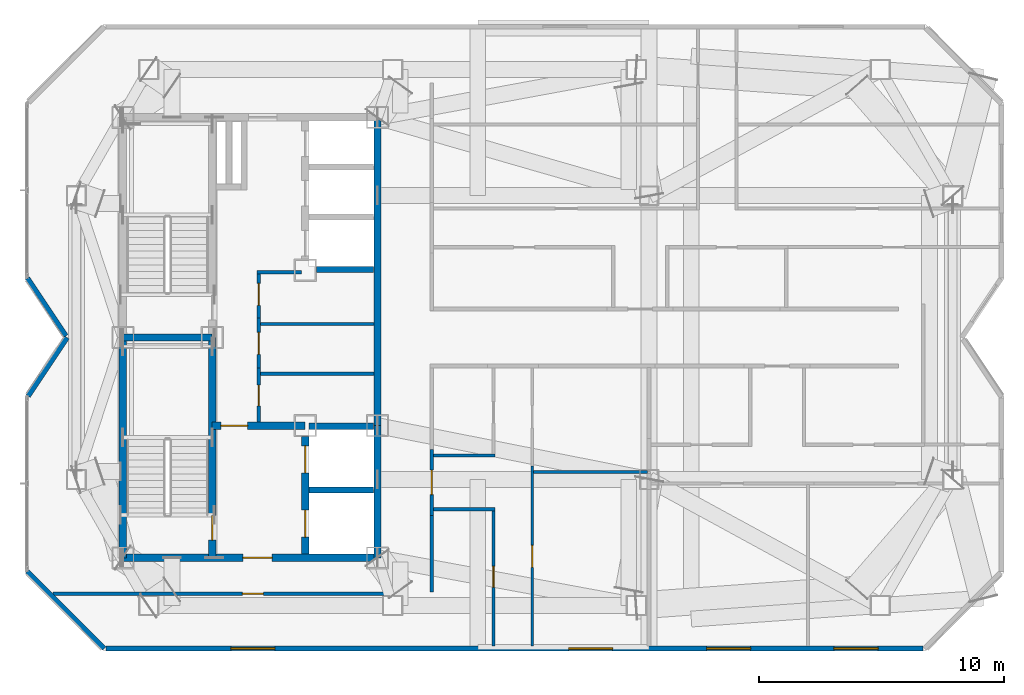
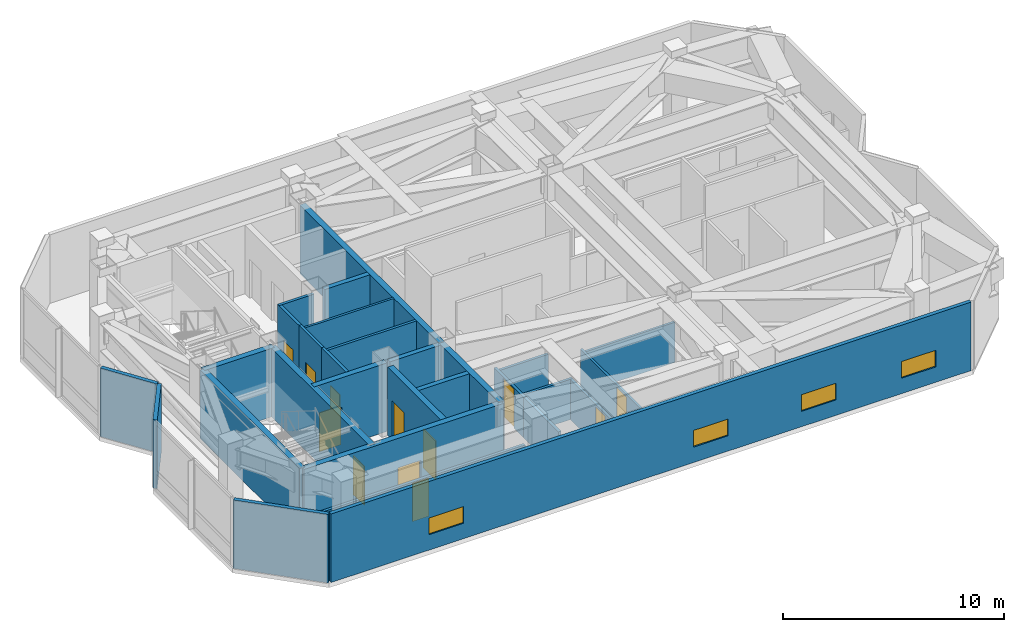
# One storey, part 10 of 15: 29 walls, 12 doors, 4 windows, 16 openings.
"""IFC4 building model written with IfcOpenShell, lengths in metres."""

import ifcopenshell
import ifcopenshell.guid

model = None  # the IFC model being written
_history = None  # IfcOwnerHistory: only IFC2X3 demands one
_inside = {}  # id of a spatial element -> (the spatial element, [elements in it])
_under = {}  # id of a project, library or spatial element -> (it, [spatial elements below it])
_declared = {}  # id of a project -> (the project, [libraries it declares])
_typed = {}  # id of a type object -> (the type object, [elements of that type])
_made_of = {}  # id of a material, layer set ... -> (it, [elements and type objects made of it])


def new_model(schema):
    """Start an empty IFC model of exactly this schema.

    Asked for "IFC4X3", IfcOpenShell would pick the latest addendum, in which some entities
    have other attributes; the version numbers below select the first issue.
    IFC2X3 requires an IfcOwnerHistory on every rooted entity: one is made here for all.
    """
    global model, _history
    if schema == "IFC4X3":
        model = ifcopenshell.file(schema_version=(4, 3, 0, 0))
    else:
        model = ifcopenshell.file(schema=schema)
    _inside.clear()
    _under.clear()
    _declared.clear()
    _typed.clear()
    _made_of.clear()
    _history = None
    if model.schema == "IFC2X3":
        org = make("IfcOrganization", Name="unknown")
        user = make(
            "IfcPersonAndOrganization",
            ThePerson=make("IfcPerson", FamilyName="unknown"),
            TheOrganization=org,
        )
        app = make(
            "IfcApplication",
            ApplicationDeveloper=org,
            Version="unknown",
            ApplicationFullName="unknown",
            ApplicationIdentifier="unknown",
        )
        _history = make(
            "IfcOwnerHistory",
            OwningUser=user,
            OwningApplication=app,
            ChangeAction="ADDED",
            CreationDate=0,
        )
    return model


def make(cls, **values):
    """One entity of the class cls with the attributes given. An attribute that is None is left unset."""
    return model.create_entity(
        cls, **{name: value for name, value in values.items() if value is not None}
    )


def rooted(cls, **values):
    """An entity with a GlobalId (a new one), such as an element, a storey or a relation."""
    return make(cls, GlobalId=ifcopenshell.guid.new(), OwnerHistory=_history, **values)


def si_unit(unit_type, name, prefix=None):
    """IfcSIUnit, for example si_unit("LENGTHUNIT", "METRE", prefix="MILLI")."""
    return make("IfcSIUnit", UnitType=unit_type, Prefix=prefix, Name=name)


def assignment(units):
    """IfcUnitAssignment: the units of a project."""
    return None if units is None else make("IfcUnitAssignment", Units=units)


def point(xyz):
    """IfcCartesianPoint."""
    return None if xyz is None else make("IfcCartesianPoint", Coordinates=xyz)


def direction(xyz):
    """IfcDirection."""
    return None if xyz is None else make("IfcDirection", DirectionRatios=xyz)


def frame(location, z_axis=None, x_axis=None):
    """IfcAxis2Placement3D, a coordinate frame: its origin and axes. An axis left out is left unset."""
    return make(
        "IfcAxis2Placement3D",
        Location=point(location),
        Axis=direction(z_axis),
        RefDirection=direction(x_axis),
    )


def frame_2d(location, x_axis=None):
    """IfcAxis2Placement2D, a coordinate frame in the plane: its origin and x axis."""
    return make(
        "IfcAxis2Placement2D", Location=point(location), RefDirection=direction(x_axis)
    )


def origin():
    """The frame at (0, 0, 0) with its axes left unset."""
    return frame((0.0, 0.0, 0.0))


def place(relative_to, where):
    """IfcLocalPlacement: puts the frame where relative to a parent placement (None: the world)."""
    return make(
        "IfcLocalPlacement", PlacementRelTo=relative_to, RelativePlacement=where
    )


def context(
    kind, dimensions, precision=None, world=None, true_north=None, identifier=None
):
    """IfcGeometricRepresentationContext, for example the 3D "Model" context."""
    return make(
        "IfcGeometricRepresentationContext",
        ContextIdentifier=identifier,
        ContextType=kind,
        CoordinateSpaceDimension=dimensions,
        Precision=precision,
        WorldCoordinateSystem=world,
        TrueNorth=true_north,
    )


def subcontext(parent, identifier, kind, view, scale=None):
    """IfcGeometricRepresentationSubContext, for example "Body" below "Model"."""
    return make(
        "IfcGeometricRepresentationSubContext",
        ContextIdentifier=identifier,
        ContextType=kind,
        ParentContext=parent,
        TargetScale=scale,
        TargetView=view,
    )


def project(units=None, contexts=None):
    """IfcProject with its units and contexts."""
    return rooted(
        "IfcProject",
        Name="project",
        RepresentationContexts=contexts,
        UnitsInContext=assignment(units),
    )


def spatial(cls, under=None, at=None, **own):
    """A site, building, storey or space (cls), placed at a placement, below another one or the project."""
    s = rooted(cls, ObjectPlacement=at, **own)
    if under is not None:
        _under.setdefault(under.id(), (under, []))[1].append(s)
    return s


def profile(cls, at=None, kind="AREA", **sizes):
    """A parametric profile (cls). Its sizes go by their IFC names, for example OverallWidth=200.0."""
    return make(cls, ProfileType=kind, Position=at, **sizes)


def rectangle(**sizes):
    """IfcRectangleProfileDef."""
    return profile("IfcRectangleProfileDef", **sizes)


def extrude(swept, where, along, depth):
    """IfcExtrudedAreaSolid: the profile swept, set in the frame where, extruded along a direction by depth."""
    return make(
        "IfcExtrudedAreaSolid",
        SweptArea=swept,
        Position=where,
        ExtrudedDirection=direction(along),
        Depth=depth,
    )


def shape(context_of_items, identifier, shape_type, items):
    """IfcShapeRepresentation: the items that make up one representation, for example the "Body"."""
    return make(
        "IfcShapeRepresentation",
        ContextOfItems=context_of_items,
        RepresentationIdentifier=identifier,
        RepresentationType=shape_type,
        Items=items,
    )


def material(Name=None, Category=None):
    """IfcMaterial."""
    return make("IfcMaterial", Name=Name, Category=Category)


def layer(
    of_material, thickness, ventilated=None, Name=None, Category=None, Priority=None
):
    """IfcMaterialLayer: one layer of a wall or slab, of a material (None: an air gap)."""
    return make(
        "IfcMaterialLayer",
        Material=of_material,
        LayerThickness=thickness,
        IsVentilated=ventilated,
        Name=Name,
        Category=Category,
        Priority=Priority,
    )


def layer_set(layers, Name=None):
    """IfcMaterialLayerSet."""
    return make("IfcMaterialLayerSet", MaterialLayers=layers, LayerSetName=Name)


def made_of(thing, what):
    """Note that an element or type object is made of a material, layer set ...; save() writes the relation."""
    if what is not None:
        _made_of.setdefault(what.id(), (what, []))[1].append(thing)
    return thing


def type_object(cls, material=None, **own):
    """A type object (cls), such as IfcWallType, which elements share."""
    return made_of(rooted(cls, **own), material)


def element(
    cls,
    number,
    at=None,
    inside=None,
    cuts=None,
    type_object=None,
    material=None,
    context=None,
    identifier="Body",
    shape_type=None,
    held_by="IfcProductDefinitionShape",
    body=None,
    shapes=None,
    **own,
):
    """One element of the class cls, such as IfcWall. Its Tag is "e" and its number.

    at: its placement. inside: the storey or other place that contains it. cuts: it is an
    opening in that element (IfcRelVoidsElement). A single representation is given by context,
    identifier, shape_type and body (its items); several are given by shapes. held_by: the class
    of the entity that holds the representations. save() writes the other relations.
    """
    e = rooted(cls, Tag="e%d" % number, ObjectPlacement=at, **own)
    if body is not None:
        shapes = [shape(context, identifier, shape_type, body)]
    if shapes is not None:
        e.Representation = make(held_by, Representations=shapes)
    if inside is not None:
        _inside.setdefault(inside.id(), (inside, []))[1].append(e)
    if cuts is not None:
        rooted(
            "IfcRelVoidsElement", RelatingBuildingElement=cuts, RelatedOpeningElement=e
        )
    if type_object is not None:
        _typed.setdefault(type_object.id(), (type_object, []))[1].append(e)
    return made_of(e, material)


def fill(opening, filler):
    """IfcRelFillsElement: the door or window that sits in an opening."""
    return rooted(
        "IfcRelFillsElement",
        RelatingOpeningElement=opening,
        RelatedBuildingElement=filler,
    )


def aggregate(whole, parts):
    """IfcRelAggregates: a whole, such as a stair, and the parts it consists of."""
    return rooted("IfcRelAggregates", RelatingObject=whole, RelatedObjects=parts)


def save(model, path):
    """Write the relations noted so far, then the file.

    IfcRelAggregates (storeys below a building ...), IfcRelContainedInSpatialStructure (elements
    in a storey), IfcRelDefinesByType, IfcRelAssociatesMaterial and IfcRelDeclares: one each for
    every whole, place, type object, material and project.
    """
    for whole, parts in _under.values():
        aggregate(whole, parts)
    for where, things in _inside.values():
        rooted(
            "IfcRelContainedInSpatialStructure",
            RelatedElements=things,
            RelatingStructure=where,
        )
    for kind, things in _typed.values():
        rooted("IfcRelDefinesByType", RelatedObjects=things, RelatingType=kind)
    for what, things in _made_of.values():
        rooted("IfcRelAssociatesMaterial", RelatedObjects=things, RelatingMaterial=what)
    for by, libraries in _declared.values():
        rooted("IfcRelDeclares", RelatingContext=by, RelatedDefinitions=libraries)
    model.write(path)


model = new_model("IFC4")

# Units and contexts
model_context = context("Model", 3, precision=1e-05, world=origin(), true_north=direction((0.0, 1.0)))
body_context = subcontext(model_context, "Body", "Model", "MODEL_VIEW")
ifc_project = project(units=[si_unit("LENGTHUNIT", "METRE"), si_unit("AREAUNIT", "SQUARE_METRE"), si_unit("VOLUMEUNIT", "CUBIC_METRE"), si_unit("PLANEANGLEUNIT", "RADIAN"), si_unit("MASSUNIT", "GRAM", prefix="KILO")], contexts=[model_context])

# Site, building, storey
site_placement = place(None, origin())
site = spatial("IfcSite", under=ifc_project, at=site_placement, CompositionType="ELEMENT")
building_placement = place(site_placement, origin())
building = spatial("IfcBuilding", under=site, at=building_placement, Name="Khamvora Tower", CompositionType="ELEMENT")
storey_placement = place(building_placement, frame((0.0, 0.0, 290.449951171875)))
storey = spatial("IfcBuildingStorey", under=building, at=storey_placement, Name="L74", CompositionType="ELEMENT", Elevation=290.449951171875)

# Wall
ifc_material_1 = material(Name="Concrete C50/60", Category="concrete")
ifc_layer_1 = layer(ifc_material_1, 0.300048828125)
ifc_layer_set_1 = layer_set([ifc_layer_1], Name="Concrete C50/60")
wall_type_1 = type_object("IfcWallType", Name="WAL-CORE-300", PredefinedType="SHEAR", material=ifc_layer_set_1)
wall_1_placement = place(storey_placement, frame((29.0, 19.0, 0.0), z_axis=(0.0, 0.0, 1.0), x_axis=(0.0, 1.0, 0.0)))
element("IfcWall", 1, at=wall_1_placement, inside=storey, type_object=wall_type_1, Name="L74 central core west south wall", PredefinedType="SHEAR", context=body_context, shape_type="SweptSolid", body=[
    extrude(rectangle(XDim=9.0, YDim=0.300048828125, at=frame_2d((4.5, 0.0))), origin(), (0.0, 0.0, 1.0), 3.780029296875),
])

# Wall, opening, door
wall_2_placement = place(storey_placement, frame((29.0, 19.0, 0.0), z_axis=(0.0, 0.0, 1.0), x_axis=(1.0, 0.0, 0.0)))
wall_2 = element("IfcWall", 2, at=wall_2_placement, inside=storey, type_object=wall_type_1, Name="L74 central core south wall", PredefinedType="SHEAR", context=body_context, shape_type="SweptSolid", body=[
    extrude(rectangle(XDim=10.39990234375, YDim=0.300048828125, at=frame_2d((5.199951171875, 0.0))), origin(), (0.0, 0.0, 1.0), 3.780029296875),
])
opening_1_placement = place(wall_2_placement, frame((4.89990234375, 0.0, 0.0)))
opening_1 = element("IfcOpeningElement", 3, at=opening_1_placement, cuts=wall_2, Name="Opening D-CR1", PredefinedType="OPENING", context=body_context, shape_type="SweptSolid", body=[
    extrude(rectangle(XDim=1.199951171875, YDim=2.14990234375, at=frame_2d((0.60009765625, 1.074951171875))), frame((0.0, 0.159912109375, 0.0), z_axis=(0.0, -1.0, 0.0), x_axis=(1.0, 0.0, 0.0)), (0.0, 0.0, 1.0), 0.320068359375),
])
ifc_material_2 = material(Name="Powder-Coated Steel and Hardwood Leaf", Category="steel")
door_type_1 = type_object("IfcDoorType", Name="DOR-CORR-1200", OperationType="NOTDEFINED", PredefinedType="DOOR", material=ifc_material_2)
door_1_placement = place(opening_1_placement, origin())
door_1 = element("IfcDoor", 4, at=door_1_placement, inside=storey, type_object=door_type_1, Name="L74 south core lobby to corridor fire door", OperationType="SINGLE_SWING_LEFT", OverallHeight=2.14990234375, OverallWidth=1.199951171875, PredefinedType="DOOR", context=body_context, shape_type="SweptSolid", body=[
    extrude(rectangle(XDim=1.199951171875, YDim=2.14990234375, at=frame_2d((0.60009765625, 1.074951171875))), frame((0.0, 0.02490234375, 0.0), z_axis=(0.0, -1.0, 0.0), x_axis=(1.0, 0.0, 0.0)), (0.0, 0.0, 1.0), 0.050048828125),
])
fill(opening_1, door_1)

# Walls
wall_3_placement = place(storey_placement, frame((39.39990234375, 19.0, 0.0), z_axis=(0.0, 0.0, 1.0), x_axis=(0.0, 1.0, 0.0)))
element("IfcWall", 5, at=wall_3_placement, inside=storey, type_object=wall_type_1, Name="L74 central core east south wall", PredefinedType="SHEAR", context=body_context, shape_type="SweptSolid", body=[
    extrude(rectangle(XDim=5.39990234375, YDim=0.300048828125, at=frame_2d((2.699951171875, 0.0))), origin(), (0.0, 0.0, 1.0), 3.780029296875),
])
wall_4_placement = place(storey_placement, frame((39.39990234375, 24.39990234375, 0.0), z_axis=(0.0, 0.0, 1.0), x_axis=(0.0, 1.0, 0.0)))
element("IfcWall", 6, at=wall_4_placement, inside=storey, type_object=wall_type_1, Name="L74 central core east north wall", PredefinedType="SHEAR", context=body_context, shape_type="SweptSolid", body=[
    extrude(rectangle(XDim=12.60009765625, YDim=0.300048828125, at=frame_2d((6.300048828125, 0.0))), origin(), (0.0, 0.0, 1.0), 3.780029296875),
])

# Wall, opening, door
wall_5_placement = place(storey_placement, frame((32.64990234375, 19.0, 0.0), z_axis=(0.0, 0.0, 1.0), x_axis=(0.0, 1.0, 0.0)))
wall_5 = element("IfcWall", 7, at=wall_5_placement, inside=storey, type_object=wall_type_1, Name="L74 central core stair south spine wall", PredefinedType="SHEAR", context=body_context, shape_type="SweptSolid", body=[
    extrude(rectangle(XDim=9.0, YDim=0.300048828125, at=frame_2d((4.5, 0.0))), origin(), (0.0, 0.0, 1.0), 3.780029296875),
])
opening_2_placement = place(wall_5_placement, frame((0.719970703125, 0.0, 0.0)))
opening_2 = element("IfcOpeningElement", 8, at=opening_2_placement, cuts=wall_5, Name="Opening D-ST1", PredefinedType="OPENING", context=body_context, shape_type="SweptSolid", body=[
    extrude(rectangle(XDim=1.0, YDim=2.14990234375, at=frame_2d((0.5, 1.074951171875))), frame((0.0, 0.159912109375, 0.0), z_axis=(0.0, -1.0, 0.0), x_axis=(1.0, 0.0, 0.0)), (0.0, 0.0, 1.0), 0.320068359375),
])
door_type_2 = type_object("IfcDoorType", Name="DOR-STAIR-1000", OperationType="NOTDEFINED", PredefinedType="DOOR", material=ifc_material_2)
door_2_placement = place(opening_2_placement, origin())
door_2 = element("IfcDoor", 9, at=door_2_placement, inside=storey, type_object=door_type_2, Name="L74 exit stair ST-01 fire door", OperationType="SINGLE_SWING_RIGHT", OverallHeight=2.14990234375, OverallWidth=1.0, PredefinedType="DOOR", context=body_context, shape_type="SweptSolid", body=[
    extrude(rectangle(XDim=1.0, YDim=2.14990234375, at=frame_2d((0.5, 1.074951171875))), frame((0.0, 0.02490234375, 0.0), z_axis=(0.0, -1.0, 0.0), x_axis=(1.0, 0.0, 0.0)), (0.0, 0.0, 1.0), 0.050048828125),
])
fill(opening_2, door_2)

# Wall
wall_6_placement = place(storey_placement, frame((29.0, 28.0, 0.0), z_axis=(0.0, 0.0, 1.0), x_axis=(1.0, 0.0, 0.0)))
element("IfcWall", 10, at=wall_6_placement, inside=storey, type_object=wall_type_1, Name="L74 central core stair cross wall", PredefinedType="SHEAR", context=body_context, shape_type="SweptSolid", body=[
    extrude(rectangle(XDim=3.64990234375, YDim=0.300048828125, at=frame_2d((1.824951171875, 0.0))), origin(), (0.0, 0.0, 1.0), 3.780029296875),
])

# Wall, opening, door
wall_7_placement = place(storey_placement, frame((32.64990234375, 24.39990234375, 0.0), z_axis=(0.0, 0.0, 1.0), x_axis=(1.0, 0.0, 0.0)))
wall_7 = element("IfcWall", 11, at=wall_7_placement, inside=storey, type_object=wall_type_1, Name="L74 central core firefighting lobby north wall", PredefinedType="SHEAR", context=body_context, shape_type="SweptSolid", body=[
    extrude(rectangle(XDim=3.800048828125, YDim=0.300048828125, at=frame_2d((1.89990234375, 0.0))), origin(), (0.0, 0.0, 1.0), 3.780029296875),
])
opening_3_placement = place(wall_7_placement, frame((0.35009765625, 0.0, 0.0)))
opening_3 = element("IfcOpeningElement", 12, at=opening_3_placement, cuts=wall_7, Name="Opening D-FF1", PredefinedType="OPENING", context=body_context, shape_type="SweptSolid", body=[
    extrude(rectangle(XDim=1.10009765625, YDim=2.14990234375, at=frame_2d((0.550048828125, 1.074951171875))), frame((0.0, 0.159912109375, 0.0), z_axis=(0.0, -1.0, 0.0), x_axis=(1.0, 0.0, 0.0)), (0.0, 0.0, 1.0), 0.320068359375),
])
door_type_3 = type_object("IfcDoorType", Name="DOR-FFLOB-1100", OperationType="NOTDEFINED", PredefinedType="DOOR", material=ifc_material_2)
door_3_placement = place(opening_3_placement, origin())
door_3 = element("IfcDoor", 13, at=door_3_placement, inside=storey, type_object=door_type_3, Name="L74 firefighting lobby smoke-seal fire door", OperationType="SINGLE_SWING_RIGHT", OverallHeight=2.14990234375, OverallWidth=1.10009765625, PredefinedType="DOOR", context=body_context, shape_type="SweptSolid", body=[
    extrude(rectangle(XDim=1.10009765625, YDim=2.14990234375, at=frame_2d((0.550048828125, 1.074951171875))), frame((0.0, 0.02490234375, 0.0), z_axis=(0.0, -1.0, 0.0), x_axis=(1.0, 0.0, 0.0)), (0.0, 0.0, 1.0), 0.050048828125),
])
fill(opening_3, door_3)

# Wall, openings, doors
wall_8_placement = place(storey_placement, frame((36.449951171875, 19.154052734375, 0.0), z_axis=(0.0, 0.0, 1.0), x_axis=(0.0, 1.0, 0.0)))
wall_8 = element("IfcWall", 14, at=wall_8_placement, inside=storey, type_object=wall_type_1, Name="L74 central core lift bank south wall", PredefinedType="SHEAR", context=body_context, shape_type="SweptSolid", body=[
    extrude(rectangle(XDim=4.7958984375, YDim=0.300048828125, at=frame_2d((2.39794921875, 0.0))), origin(), (0.0, 0.0, 1.0), 3.780029296875),
])
opening_4_placement = place(wall_8_placement, frame((0.696044921875, 0.0, 0.0)))
opening_4 = element("IfcOpeningElement", 15, at=opening_4_placement, cuts=wall_8, Name="Opening LD-FFL", PredefinedType="OPENING", context=body_context, shape_type="SweptSolid", body=[
    extrude(rectangle(XDim=1.10009765625, YDim=2.14990234375, at=frame_2d((0.550048828125, 1.074951171875))), frame((0.0, 0.159912109375, 0.0), z_axis=(0.0, -1.0, 0.0), x_axis=(1.0, 0.0, 0.0)), (0.0, 0.0, 1.0), 0.320068359375),
])
opening_5_placement = place(wall_8_placement, frame((3.31591796875, 0.0, 0.0)))
opening_5 = element("IfcOpeningElement", 16, at=opening_5_placement, cuts=wall_8, Name="Opening LD-FFL", PredefinedType="OPENING", context=body_context, shape_type="SweptSolid", body=[
    extrude(rectangle(XDim=1.10009765625, YDim=2.14990234375, at=frame_2d((0.550048828125, 1.074951171875))), frame((0.0, 0.159912109375, 0.0), z_axis=(0.0, -1.0, 0.0), x_axis=(1.0, 0.0, 0.0)), (0.0, 0.0, 1.0), 0.320068359375),
])
door_type_4 = type_object("IfcDoorType", Name="DOR-LIFT-1100", OperationType="SLIDING_TO_LEFT", PredefinedType="DOOR", material=ifc_material_2)
door_4_placement = place(opening_4_placement, origin())
door_4 = element("IfcDoor", 17, at=door_4_placement, inside=storey, type_object=door_type_4, Name="L74 lift landing sliding door FFL-01", OperationType="SLIDING_TO_LEFT", OverallHeight=2.14990234375, OverallWidth=1.10009765625, PredefinedType="DOOR", context=body_context, shape_type="SweptSolid", body=[
    extrude(rectangle(XDim=1.10009765625, YDim=2.14990234375, at=frame_2d((0.550048828125, 1.074951171875))), frame((0.0, 0.02490234375, 0.0), z_axis=(0.0, -1.0, 0.0), x_axis=(1.0, 0.0, 0.0)), (0.0, 0.0, 1.0), 0.050048828125),
])
fill(opening_4, door_4)
door_5_placement = place(opening_5_placement, origin())
door_5 = element("IfcDoor", 18, at=door_5_placement, inside=storey, type_object=door_type_4, Name="L74 lift landing sliding door FFL-02", OperationType="SLIDING_TO_LEFT", OverallHeight=2.14990234375, OverallWidth=1.10009765625, PredefinedType="DOOR", context=body_context, shape_type="SweptSolid", body=[
    extrude(rectangle(XDim=1.10009765625, YDim=2.14990234375, at=frame_2d((0.550048828125, 1.074951171875))), frame((0.0, 0.02490234375, 0.0), z_axis=(0.0, -1.0, 0.0), x_axis=(1.0, 0.0, 0.0)), (0.0, 0.0, 1.0), 0.050048828125),
])
fill(opening_5, door_5)

# Wall, opening, door
ifc_material_3 = material(Name="Fire-Rated Drywall and Steel Stud", Category="steel")
ifc_layer_2 = layer(ifc_material_3, 0.14990234375)
ifc_layer_set_2 = layer_set([ifc_layer_2], Name="Fire-Rated Drywall and Steel Stud")
wall_type_2 = type_object("IfcWallType", Name="WAL-CORR-150", PredefinedType="STANDARD", material=ifc_layer_set_2)
wall_9_placement = place(storey_placement, frame((34.544921875, 26.763916015625, 0.0), z_axis=(0.0, 0.0, 1.0), x_axis=(0.0, -1.0, 0.0)))
wall_9 = element("IfcWall", 19, at=wall_9_placement, inside=storey, type_object=wall_type_2, Name="L74 interior partition wall 001", PredefinedType="STANDARD", context=body_context, shape_type="SweptSolid", body=[
    extrude(rectangle(XDim=2.219970703125, YDim=0.14990234375, at=frame_2d((1.10986328125, 0.0))), origin(), (0.0, 0.0, 1.0), 3.780029296875),
])
opening_6_placement = place(wall_9_placement, frame((0.7060546875, 0.0, 0.0)))
opening_6 = element("IfcOpeningElement", 20, at=opening_6_placement, cuts=wall_9, Name="Opening D-WC1", PredefinedType="OPENING", context=body_context, shape_type="SweptSolid", body=[
    extrude(rectangle(XDim=0.85009765625, YDim=2.10009765625, at=frame_2d((0.425048828125, 1.050048828125))), frame((0.0, 0.0849609375, 0.0), z_axis=(0.0, -1.0, 0.0), x_axis=(1.0, 0.0, 0.0)), (0.0, 0.0, 1.0), 0.169921875),
])
door_type_5 = type_object("IfcDoorType", Name="DOR-WET-850", OperationType="NOTDEFINED", PredefinedType="DOOR", material=ifc_material_2)
door_6_placement = place(opening_6_placement, origin())
door_6 = element("IfcDoor", 21, at=door_6_placement, inside=storey, type_object=door_type_5, Name="L74 interior door PHL-CS1", OperationType="SINGLE_SWING_LEFT", OverallHeight=2.10009765625, OverallWidth=0.85009765625, PredefinedType="DOOR", context=body_context, shape_type="SweptSolid", body=[
    extrude(rectangle(XDim=0.85009765625, YDim=2.10009765625, at=frame_2d((0.425048828125, 1.050048828125))), frame((0.0, 0.02490234375, 0.0), z_axis=(0.0, -1.0, 0.0), x_axis=(1.0, 0.0, 0.0)), (0.0, 0.0, 1.0), 0.050048828125),
])
fill(opening_6, door_6)

wall_10_placement = place(storey_placement, frame((34.544921875, 28.7939453125, 0.0), z_axis=(0.0, 0.0, 1.0), x_axis=(0.0, -1.0, 0.0)))
wall_10 = element("IfcWall", 22, at=wall_10_placement, inside=storey, type_object=wall_type_2, Name="L74 interior partition wall 002", PredefinedType="STANDARD", context=body_context, shape_type="SweptSolid", body=[
    extrude(rectangle(XDim=2.030029296875, YDim=0.14990234375, at=frame_2d((1.01513671875, 0.0))), origin(), (0.0, 0.0, 1.0), 3.780029296875),
])
opening_7_placement = place(wall_10_placement, frame((0.5859375, 0.0, 0.0)))
opening_7 = element("IfcOpeningElement", 23, at=opening_7_placement, cuts=wall_10, Name="Opening D-RM1", PredefinedType="OPENING", context=body_context, shape_type="SweptSolid", body=[
    extrude(rectangle(XDim=0.89990234375, YDim=2.10009765625, at=frame_2d((0.449951171875, 1.050048828125))), frame((0.0, 0.0849609375, 0.0), z_axis=(0.0, -1.0, 0.0), x_axis=(1.0, 0.0, 0.0)), (0.0, 0.0, 1.0), 0.169921875),
])
door_type_6 = type_object("IfcDoorType", Name="DOR-ROOM-900", OperationType="NOTDEFINED", PredefinedType="DOOR", material=ifc_material_2)
door_7_placement = place(opening_7_placement, origin())
door_7 = element("IfcDoor", 24, at=door_7_placement, inside=storey, type_object=door_type_6, Name="L74 interior door PHL-CS2", OperationType="SINGLE_SWING_RIGHT", OverallHeight=2.10009765625, OverallWidth=0.89990234375, PredefinedType="DOOR", context=body_context, shape_type="SweptSolid", body=[
    extrude(rectangle(XDim=0.89990234375, YDim=2.10009765625, at=frame_2d((0.449951171875, 1.050048828125))), frame((0.0, 0.02490234375, 0.0), z_axis=(0.0, -1.0, 0.0), x_axis=(1.0, 0.0, 0.0)), (0.0, 0.0, 1.0), 0.050048828125),
])
fill(opening_7, door_7)

# Wall
wall_11_placement = place(storey_placement, frame((36.300048828125, 30.6650390625, 0.0), z_axis=(0.0, 0.0, 1.0), x_axis=(-1.0, 0.0, 0.0)))
element("IfcWall", 25, at=wall_11_placement, inside=storey, type_object=wall_type_2, Name="L74 interior partition wall 003", PredefinedType="STANDARD", context=body_context, shape_type="SweptSolid", body=[
    extrude(rectangle(XDim=1.820068359375, YDim=0.14990234375, at=frame_2d((0.91015625, 0.0))), origin(), (0.0, 0.0, 1.0), 3.780029296875),
])

# Wall, opening, door
wall_12_placement = place(storey_placement, frame((34.544921875, 30.72998046875, 0.0), z_axis=(0.0, 0.0, 1.0), x_axis=(0.0, -1.0, 0.0)))
wall_12 = element("IfcWall", 26, at=wall_12_placement, inside=storey, type_object=wall_type_2, Name="L74 interior partition wall 004", PredefinedType="STANDARD", context=body_context, shape_type="SweptSolid", body=[
    extrude(rectangle(XDim=1.93603515625, YDim=0.14990234375, at=frame_2d((0.968017578125, 0.0))), origin(), (0.0, 0.0, 1.0), 3.780029296875),
])
opening_8_placement = place(wall_12_placement, frame((0.51806640625, 0.0, 0.0)))
opening_8 = element("IfcOpeningElement", 27, at=opening_8_placement, cuts=wall_12, Name="Opening D-RM1", PredefinedType="OPENING", context=body_context, shape_type="SweptSolid", body=[
    extrude(rectangle(XDim=0.89990234375, YDim=2.10009765625, at=frame_2d((0.449951171875, 1.050048828125))), frame((0.0, 0.0849609375, 0.0), z_axis=(0.0, -1.0, 0.0), x_axis=(1.0, 0.0, 0.0)), (0.0, 0.0, 1.0), 0.169921875),
])
door_8_placement = place(opening_8_placement, origin())
door_8 = element("IfcDoor", 28, at=door_8_placement, inside=storey, type_object=door_type_6, Name="L74 interior door PHL-CS3", OperationType="SINGLE_SWING_LEFT", OverallHeight=2.10009765625, OverallWidth=0.89990234375, PredefinedType="DOOR", context=body_context, shape_type="SweptSolid", body=[
    extrude(rectangle(XDim=0.89990234375, YDim=2.10009765625, at=frame_2d((0.449951171875, 1.050048828125))), frame((0.0, 0.02490234375, 0.0), z_axis=(0.0, -1.0, 0.0), x_axis=(1.0, 0.0, 0.0)), (0.0, 0.0, 1.0), 0.050048828125),
])
fill(opening_8, door_8)

wall_13_placement = place(storey_placement, frame((39.73388671875, 17.534912109375, 0.0), z_axis=(0.0, 0.0, 1.0), x_axis=(-1.0, 0.0, 0.0)))
wall_13 = element("IfcWall", 29, at=wall_13_placement, inside=storey, type_object=wall_type_2, Name="L74 interior partition wall 007", PredefinedType="STANDARD", context=body_context, shape_type="SweptSolid", body=[
    extrude(rectangle(XDim=13.581787109375, YDim=0.14990234375, at=frame_2d((6.791015625, 0.0))), origin(), (0.0, 0.0, 1.0), 2.219970703125),
])
opening_9_placement = place(wall_13_placement, frame((4.9990234375, 0.0, 0.0)))
opening_9 = element("IfcOpeningElement", 30, at=opening_9_placement, cuts=wall_13, Name="Opening D-RM2", PredefinedType="OPENING", context=body_context, shape_type="SweptSolid", body=[
    extrude(rectangle(XDim=0.85009765625, YDim=2.10009765625, at=frame_2d((0.425048828125, 1.050048828125))), frame((0.0, 0.0849609375, 0.0), z_axis=(0.0, -1.0, 0.0), x_axis=(1.0, 0.0, 0.0)), (0.0, 0.0, 1.0), 0.169921875),
])
door_type_7 = type_object("IfcDoorType", Name="DOR-ROOM-850", OperationType="NOTDEFINED", PredefinedType="DOOR", material=ifc_material_2)
door_9_placement = place(opening_9_placement, origin())
door_9 = element("IfcDoor", 31, at=door_9_placement, inside=storey, type_object=door_type_7, Name="L74 interior door COR-CREA", OperationType="SINGLE_SWING_LEFT", OverallHeight=2.10009765625, OverallWidth=0.85009765625, PredefinedType="DOOR", context=body_context, shape_type="SweptSolid", body=[
    extrude(rectangle(XDim=0.85009765625, YDim=2.10009765625, at=frame_2d((0.425048828125, 1.050048828125))), frame((0.0, 0.02490234375, 0.0), z_axis=(0.0, -1.0, 0.0), x_axis=(1.0, 0.0, 0.0)), (0.0, 0.0, 1.0), 0.050048828125),
])
fill(opening_9, door_9)

wall_14_placement = place(storey_placement, frame((41.614990234375, 23.43310546875, 0.0), z_axis=(0.0, 0.0, 1.0), x_axis=(0.0, -1.0, 0.0)))
wall_14 = element("IfcWall", 32, at=wall_14_placement, inside=storey, type_object=wall_type_2, Name="L74 interior partition wall 009", PredefinedType="STANDARD", context=body_context, shape_type="SweptSolid", body=[
    extrude(rectangle(XDim=2.697998046875, YDim=0.14990234375, at=frame_2d((1.34912109375, 0.0))), origin(), (0.0, 0.0, 1.0), 2.219970703125),
])
opening_10_placement = place(wall_14_placement, frame((0.84912109375, 0.0, 0.0)))
opening_10 = element("IfcOpeningElement", 33, at=opening_10_placement, cuts=wall_14, Name="Opening D-U1", PredefinedType="OPENING", context=body_context, shape_type="SweptSolid", body=[
    extrude(rectangle(XDim=1.0, YDim=2.14990234375, at=frame_2d((0.5, 1.074951171875))), frame((0.0, 0.0849609375, 0.0), z_axis=(0.0, -1.0, 0.0), x_axis=(1.0, 0.0, 0.0)), (0.0, 0.0, 1.0), 0.169921875),
])
door_type_8 = type_object("IfcDoorType", Name="DOR-UNIT-1000", OperationType="NOTDEFINED", PredefinedType="DOOR", material=ifc_material_2)
door_10_placement = place(opening_10_placement, origin())
door_10 = element("IfcDoor", 34, at=door_10_placement, inside=storey, type_object=door_type_8, Name="L74 interior door COR-74CH", OperationType="SINGLE_SWING_RIGHT", OverallHeight=2.14990234375, OverallWidth=1.0, PredefinedType="DOOR", context=body_context, shape_type="SweptSolid", body=[
    extrude(rectangle(XDim=1.0, YDim=2.14990234375, at=frame_2d((0.5, 1.074951171875))), frame((0.0, 0.02490234375, 0.0), z_axis=(0.0, -1.0, 0.0), x_axis=(1.0, 0.0, 0.0)), (0.0, 0.0, 1.0), 0.050048828125),
])
fill(opening_10, door_10)

# Walls
wall_15_placement = place(storey_placement, frame((41.614990234375, 20.735107421875, 0.0), z_axis=(0.0, 0.0, 1.0), x_axis=(0.0, -1.0, 0.0)))
element("IfcWall", 35, at=wall_15_placement, inside=storey, type_object=wall_type_2, Name="L74 interior partition wall 012", PredefinedType="STANDARD", context=body_context, shape_type="SweptSolid", body=[
    extrude(rectangle(XDim=3.135009765625, YDim=0.14990234375, at=frame_2d((1.5673828125, 0.0))), origin(), (0.0, 0.0, 1.0), 2.219970703125),
])
ifc_material_4 = material(Name="Precast concrete C40/50", Category="concrete")
ifc_layer_3 = layer(ifc_material_4, 0.199951171875)
ifc_layer_set_3 = layer_set([ifc_layer_3], Name="Precast concrete C40/50")
wall_type_3 = type_object("IfcWallType", Name="WAL-EXT-200", PredefinedType="STANDARD", material=ifc_layer_set_3)
wall_16_placement = place(storey_placement, frame((28.240966796875, 15.300048828125, 0.0), z_axis=(0.0, 0.0, 1.0), x_axis=(-0.707106781187, 0.707106781187, 0.0)))
element("IfcWall", 36, at=wall_16_placement, inside=storey, type_object=wall_type_3, Name="L74 exterior facade wall 01.1", PredefinedType="STANDARD", context=body_context, shape_type="SweptSolid", body=[
    extrude(rectangle(XDim=4.44189453125, YDim=0.199951171875, at=frame_2d((2.220947265625, 0.0))), origin(), (0.0, 0.0, 1.0), 3.780029296875),
])
wall_17_placement = place(storey_placement, frame((25.1259765625, 25.60888671875, 0.0), z_axis=(0.0, 0.0, 1.0), x_axis=(0.554680590739, 0.832063364328, 0.0)))
element("IfcWall", 37, at=wall_17_placement, inside=storey, type_object=wall_type_3, Name="L74 exterior facade wall 03.1", PredefinedType="STANDARD", context=body_context, shape_type="SweptSolid", body=[
    extrude(rectangle(XDim=2.873779296875, YDim=0.199951171875, at=frame_2d((1.43701171875, 0.0))), origin(), (0.0, 0.0, 1.0), 3.780029296875),
])
wall_18_placement = place(storey_placement, frame((26.674072265625, 28.069091796875, 0.0), z_axis=(0.0, 0.0, 1.0), x_axis=(-0.554720052174, 0.832037056696, 0.0)))
element("IfcWall", 38, at=wall_18_placement, inside=storey, type_object=wall_type_3, Name="L74 exterior facade wall 04.1", PredefinedType="STANDARD", context=body_context, shape_type="SweptSolid", body=[
    extrude(rectangle(XDim=2.83740234375, YDim=0.199951171875, at=frame_2d((1.418701171875, 0.0))), origin(), (0.0, 0.0, 1.0), 3.780029296875),
])

# Wall, openings, windows
wall_19_placement = place(storey_placement, frame((61.696044921875, 15.300048828125, 0.0), z_axis=(0.0, 0.0, 1.0), x_axis=(-1.0, 0.0, 0.0)))
wall_19 = element("IfcWall", 39, at=wall_19_placement, inside=storey, type_object=wall_type_3, Name="L74 exterior facade wall 14.1", PredefinedType="STANDARD", context=body_context, shape_type="SweptSolid", body=[
    extrude(rectangle(XDim=33.39306640625, YDim=0.199951171875, at=frame_2d((16.696533203125, 0.0))), origin(), (0.0, 0.0, 1.0), 3.780029296875),
])
opening_11_placement = place(wall_19_placement, frame((26.486083984375, 0.0, 0.85009765625)))
opening_11 = element("IfcOpeningElement", 40, at=opening_11_placement, cuts=wall_19, Name="Opening WN-09", PredefinedType="OPENING", context=body_context, shape_type="SweptSolid", body=[
    extrude(rectangle(XDim=1.800048828125, YDim=0.919921875, at=frame_2d((0.89990234375, 0.4599609375))), frame((0.0, 0.10986328125, 0.0), z_axis=(0.0, -1.0, 0.0), x_axis=(1.0, 0.0, 0.0)), (0.0, 0.0, 1.0), 0.219970703125),
])
opening_12_placement = place(wall_19_placement, frame((12.68603515625, 0.0, 0.85009765625)))
opening_12 = element("IfcOpeningElement", 41, at=opening_12_placement, cuts=wall_19, Name="Opening WN-09", PredefinedType="OPENING", context=body_context, shape_type="SweptSolid", body=[
    extrude(rectangle(XDim=1.800048828125, YDim=0.919921875, at=frame_2d((0.89990234375, 0.4599609375))), frame((0.0, 0.10986328125, 0.0), z_axis=(0.0, -1.0, 0.0), x_axis=(1.0, 0.0, 0.0)), (0.0, 0.0, 1.0), 0.219970703125),
])
opening_13_placement = place(wall_19_placement, frame((7.048095703125, 0.0, 0.85009765625)))
opening_13 = element("IfcOpeningElement", 42, at=opening_13_placement, cuts=wall_19, Name="Opening WN-09", PredefinedType="OPENING", context=body_context, shape_type="SweptSolid", body=[
    extrude(rectangle(XDim=1.800048828125, YDim=0.919921875, at=frame_2d((0.89990234375, 0.4599609375))), frame((0.0, 0.10986328125, 0.0), z_axis=(0.0, -1.0, 0.0), x_axis=(1.0, 0.0, 0.0)), (0.0, 0.0, 1.0), 0.219970703125),
])
opening_14_placement = place(wall_19_placement, frame((1.843994140625, 0.0, 0.85009765625)))
opening_14 = element("IfcOpeningElement", 43, at=opening_14_placement, cuts=wall_19, Name="Opening WN-09", PredefinedType="OPENING", context=body_context, shape_type="SweptSolid", body=[
    extrude(rectangle(XDim=1.800048828125, YDim=0.919921875, at=frame_2d((0.89990234375, 0.4599609375))), frame((0.0, 0.10986328125, 0.0), z_axis=(0.0, -1.0, 0.0), x_axis=(1.0, 0.0, 0.0)), (0.0, 0.0, 1.0), 0.219970703125),
])
ifc_material_5 = material(Name="Low-E Laminated Double Glazing", Category="glass")
window_type = type_object("IfcWindowType", Name="WIN-CLR-1800x920", PartitioningType="SINGLE_PANEL", PredefinedType="WINDOW", material=ifc_material_5)
window_1_placement = place(opening_11_placement, origin())
window_1 = element("IfcWindow", 44, at=window_1_placement, inside=storey, type_object=window_type, Name="L74 vision window 14.1.01", OverallHeight=0.919921875, OverallWidth=1.800048828125, PartitioningType="SINGLE_PANEL", PredefinedType="WINDOW", context=body_context, shape_type="SweptSolid", body=[
    extrude(rectangle(XDim=1.800048828125, YDim=0.919921875, at=frame_2d((0.89990234375, 0.4599609375))), frame((0.0, 0.030029296875, 0.0), z_axis=(0.0, -1.0, 0.0), x_axis=(1.0, 0.0, 0.0)), (0.0, 0.0, 1.0), 0.06005859375),
])
fill(opening_11, window_1)
window_2_placement = place(opening_12_placement, origin())
window_2 = element("IfcWindow", 45, at=window_2_placement, inside=storey, type_object=window_type, Name="L74 vision window 14.1.02", OverallHeight=0.919921875, OverallWidth=1.800048828125, PartitioningType="SINGLE_PANEL", PredefinedType="WINDOW", context=body_context, shape_type="SweptSolid", body=[
    extrude(rectangle(XDim=1.800048828125, YDim=0.919921875, at=frame_2d((0.89990234375, 0.4599609375))), frame((0.0, 0.030029296875, 0.0), z_axis=(0.0, -1.0, 0.0), x_axis=(1.0, 0.0, 0.0)), (0.0, 0.0, 1.0), 0.06005859375),
])
fill(opening_12, window_2)
window_3_placement = place(opening_13_placement, origin())
window_3 = element("IfcWindow", 46, at=window_3_placement, inside=storey, type_object=window_type, Name="L74 vision window 14.1.03", OverallHeight=0.919921875, OverallWidth=1.800048828125, PartitioningType="SINGLE_PANEL", PredefinedType="WINDOW", context=body_context, shape_type="SweptSolid", body=[
    extrude(rectangle(XDim=1.800048828125, YDim=0.919921875, at=frame_2d((0.89990234375, 0.4599609375))), frame((0.0, 0.030029296875, 0.0), z_axis=(0.0, -1.0, 0.0), x_axis=(1.0, 0.0, 0.0)), (0.0, 0.0, 1.0), 0.06005859375),
])
fill(opening_13, window_3)
window_4_placement = place(opening_14_placement, origin())
window_4 = element("IfcWindow", 47, at=window_4_placement, inside=storey, type_object=window_type, Name="L74 vision window 14.1.04", OverallHeight=0.919921875, OverallWidth=1.800048828125, PartitioningType="SINGLE_PANEL", PredefinedType="WINDOW", context=body_context, shape_type="SweptSolid", body=[
    extrude(rectangle(XDim=1.800048828125, YDim=0.919921875, at=frame_2d((0.89990234375, 0.4599609375))), frame((0.0, 0.030029296875, 0.0), z_axis=(0.0, -1.0, 0.0), x_axis=(1.0, 0.0, 0.0)), (0.0, 0.0, 1.0), 0.06005859375),
])
fill(opening_14, window_4)

# Wall
ifc_material_6 = material(Name="Gypsum Plasterboard Partition", Category="gypsum")
ifc_layer_4 = layer(ifc_material_6, 0.1201171875)
ifc_layer_set_4 = layer_set([ifc_layer_4], Name="Gypsum Plasterboard Partition")
wall_type_4 = type_object("IfcWallType", Name="WAL-PART-120", PredefinedType="PARTITIONING", material=ifc_layer_set_4)
wall_20_placement = place(storey_placement, frame((34.612060546875, 28.544921875, 0.0), z_axis=(0.0, 0.0, 1.0), x_axis=(1.0, 0.0, 0.0)))
element("IfcWall", 48, at=wall_20_placement, inside=storey, type_object=wall_type_4, Name="L74 interior partition wall 006", PredefinedType="PARTITIONING", context=body_context, shape_type="SweptSolid", body=[
    extrude(rectangle(XDim=4.64404296875, YDim=0.1201171875, at=frame_2d((2.322021484375, 0.0))), origin(), (0.0, 0.0, 1.0), 3.780029296875),
])

# Wall, opening, door
wall_21_placement = place(storey_placement, frame((45.72509765625, 22.759033203125, 0.0), z_axis=(0.0, 0.0, 1.0), x_axis=(0.0, -1.0, 0.0)))
wall_21 = element("IfcWall", 49, at=wall_21_placement, inside=storey, type_object=wall_type_4, Name="L74 interior partition wall 029", PredefinedType="PARTITIONING", context=body_context, shape_type="SweptSolid", body=[
    extrude(rectangle(XDim=7.366943359375, YDim=0.1201171875, at=frame_2d((3.68359375, 0.0))), origin(), (0.0, 0.0, 1.0), 2.219970703125),
])
opening_15_placement = place(wall_21_placement, frame((3.25390625, 0.0, 0.0)))
opening_15 = element("IfcOpeningElement", 50, at=opening_15_placement, cuts=wall_21, Name="Opening D-RM1", PredefinedType="OPENING", context=body_context, shape_type="SweptSolid", body=[
    extrude(rectangle(XDim=0.89990234375, YDim=2.10009765625, at=frame_2d((0.449951171875, 1.050048828125))), frame((0.0, 0.070068359375, 0.0), z_axis=(0.0, -1.0, 0.0), x_axis=(1.0, 0.0, 0.0)), (0.0, 0.0, 1.0), 0.14013671875),
])
door_11_placement = place(opening_15_placement, origin())
door_11 = element("IfcDoor", 51, at=door_11_placement, inside=storey, type_object=door_type_6, Name="L74 interior door 74CH-74CL", OperationType="SINGLE_SWING_LEFT", OverallHeight=2.10009765625, OverallWidth=0.89990234375, PredefinedType="DOOR", context=body_context, shape_type="SweptSolid", body=[
    extrude(rectangle(XDim=0.89990234375, YDim=2.10009765625, at=frame_2d((0.449951171875, 1.050048828125))), frame((0.0, 0.02490234375, 0.0), z_axis=(0.0, -1.0, 0.0), x_axis=(1.0, 0.0, 0.0)), (0.0, 0.0, 1.0), 0.050048828125),
])
fill(opening_15, door_11)

# Walls
wall_22_placement = place(storey_placement, frame((45.779052734375, 22.510009765625, 0.0), z_axis=(0.0, 0.0, 1.0), x_axis=(1.0, 0.0, 0.0)))
element("IfcWall", 52, at=wall_22_placement, inside=storey, type_object=wall_type_4, Name="L74 interior partition wall 031", PredefinedType="PARTITIONING", context=body_context, shape_type="SweptSolid", body=[
    extrude(rectangle(XDim=4.65087890625, YDim=0.1201171875, at=frame_2d((2.325439453125, 0.0))), origin(), (0.0, 0.0, 1.0), 2.219970703125),
])
ifc_material_7 = material(Name="Concrete C40/50", Category="concrete")
ifc_layer_5 = layer(ifc_material_7, 0.25)
ifc_layer_set_5 = layer_set([ifc_layer_5], Name="Concrete C40/50")
wall_type_5 = type_object("IfcWallType", Name="WAL-PODS-250", PredefinedType="SHEAR", material=ifc_layer_set_5)
for number, where, z_axis, x_axis, name in (
    (53, (36.60400390625, 21.77490234375, 0.0), (0.0, 0.0, 1.0), (1.0, 0.0, 0.0), "L74 lift shaft divider wall FFL-01"),
    (54, (36.60400390625, 24.375, 0.0), (0.0, 0.0, 1.0), (1.0, 0.0, 0.0), "L74 lift shaft divider wall FFL-02"),
):
    element("IfcWall", number, at=place(storey_placement, frame(where, z_axis=z_axis, x_axis=x_axis)), inside=storey, type_object=wall_type_5, Name=name, PredefinedType="SHEAR", context=body_context, shape_type="SweptSolid", body=[
        extrude(rectangle(XDim=2.64208984375, YDim=0.25, at=frame_2d((1.321044921875, 0.0))), origin(), (0.0, 0.0, 1.0), 3.780029296875),
    ])
wall_23_placement = place(storey_placement, frame((36.904052734375, 30.77490234375, 0.0), z_axis=(0.0, 0.0, 1.0), x_axis=(1.0, 0.0, 0.0)))
element("IfcWall", 55, at=wall_23_placement, inside=storey, type_object=wall_type_5, Name="L74 high-rise lift shaft south enclosure wall PH-01", PredefinedType="SHEAR", context=body_context, shape_type="SweptSolid", body=[
    extrude(rectangle(XDim=2.342041015625, YDim=0.25, at=frame_2d((1.1708984375, 0.0))), origin(), (0.0, 0.0, 1.0), 3.780029296875),
])
ifc_material_8 = material(Name="Moisture-Resistant Plasterboard Partition", Category="gypsum")
ifc_layer_6 = layer(ifc_material_8, 0.135009765625)
ifc_layer_set_6 = layer_set([ifc_layer_6], Name="Moisture-Resistant Plasterboard Partition")
wall_type_6 = type_object("IfcWallType", Name="WAL-WET-135", PredefinedType="PARTITIONING", material=ifc_layer_set_6)
wall_24_placement = place(storey_placement, frame((34.612060546875, 26.514892578125, 0.0), z_axis=(0.0, 0.0, 1.0), x_axis=(1.0, 0.0, 0.0)))
element("IfcWall", 56, at=wall_24_placement, inside=storey, type_object=wall_type_6, Name="L74 interior partition wall 005", PredefinedType="PARTITIONING", context=body_context, shape_type="SweptSolid", body=[
    extrude(rectangle(XDim=4.64404296875, YDim=0.135009765625, at=frame_2d((2.322021484375, 0.0))), origin(), (0.0, 0.0, 1.0), 3.780029296875),
])
wall_25_placement = place(storey_placement, frame((41.681884765625, 23.18408203125, 0.0), z_axis=(0.0, 0.0, 1.0), x_axis=(1.0, 0.0, 0.0)))
element("IfcWall", 57, at=wall_25_placement, inside=storey, type_object=wall_type_6, Name="L74 interior partition wall 025", PredefinedType="PARTITIONING", context=body_context, shape_type="SweptSolid", body=[
    extrude(rectangle(XDim=2.528076171875, YDim=0.135009765625, at=frame_2d((1.26416015625, 0.0))), origin(), (0.0, 0.0, 1.0), 2.219970703125),
])

# Wall, opening, door
wall_26_placement = place(storey_placement, frame((44.14501953125, 15.39208984375, 0.0), z_axis=(0.0, 0.0, 1.0), x_axis=(0.0, 1.0, 0.0)))
wall_26 = element("IfcWall", 58, at=wall_26_placement, inside=storey, type_object=wall_type_6, Name="L74 interior partition wall 027", PredefinedType="PARTITIONING", context=body_context, shape_type="SweptSolid", body=[
    extrude(rectangle(XDim=5.656982421875, YDim=0.135009765625, at=frame_2d((2.82861328125, 0.0))), origin(), (0.0, 0.0, 1.0), 2.219970703125),
])
opening_16_placement = place(wall_26_placement, frame((2.404052734375, 0.0, 0.0)))
opening_16 = element("IfcOpeningElement", 59, at=opening_16_placement, cuts=wall_26, Name="Opening D-RM2", PredefinedType="OPENING", context=body_context, shape_type="SweptSolid", body=[
    extrude(rectangle(XDim=0.85009765625, YDim=2.10009765625, at=frame_2d((0.425048828125, 1.050048828125))), frame((0.0, 0.077392578125, 0.0), z_axis=(0.0, -1.0, 0.0), x_axis=(1.0, 0.0, 0.0)), (0.0, 0.0, 1.0), 0.155029296875),
])
door_12_placement = place(opening_16_placement, origin())
door_12 = element("IfcDoor", 60, at=door_12_placement, inside=storey, type_object=door_type_7, Name="L74 interior door 74CH-74CK", OperationType="SINGLE_SWING_RIGHT", OverallHeight=2.10009765625, OverallWidth=0.85009765625, PredefinedType="DOOR", context=body_context, shape_type="SweptSolid", body=[
    extrude(rectangle(XDim=0.85009765625, YDim=2.10009765625, at=frame_2d((0.425048828125, 1.050048828125))), frame((0.0, 0.02490234375, 0.0), z_axis=(0.0, -1.0, 0.0), x_axis=(1.0, 0.0, 0.0)), (0.0, 0.0, 1.0), 0.050048828125),
])
fill(opening_16, door_12)

# Wall
wall_27_placement = place(storey_placement, frame((44.2099609375, 20.98388671875, 0.0), z_axis=(0.0, 0.0, 1.0), x_axis=(-1.0, 0.0, 0.0)))
element("IfcWall", 61, at=wall_27_placement, inside=storey, type_object=wall_type_6, Name="L74 interior partition wall 028", PredefinedType="PARTITIONING", context=body_context, shape_type="SweptSolid", body=[
    extrude(rectangle(XDim=2.528076171875, YDim=0.135009765625, at=frame_2d((1.26416015625, 0.0))), origin(), (0.0, 0.0, 1.0), 2.219970703125),
])

save(model, "model.ifc")
